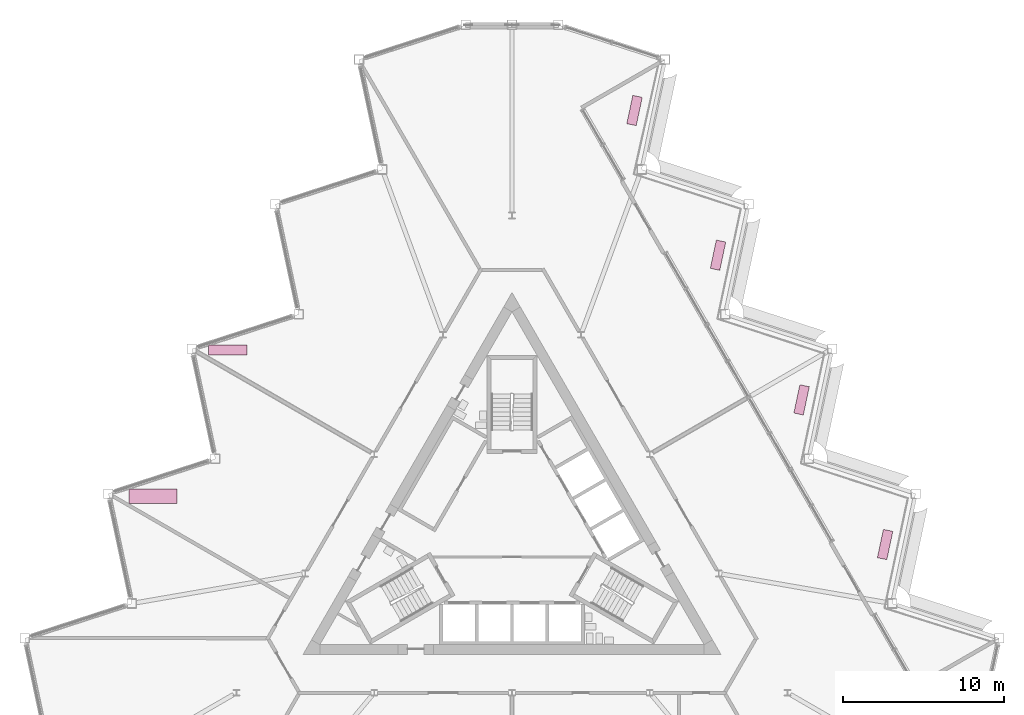
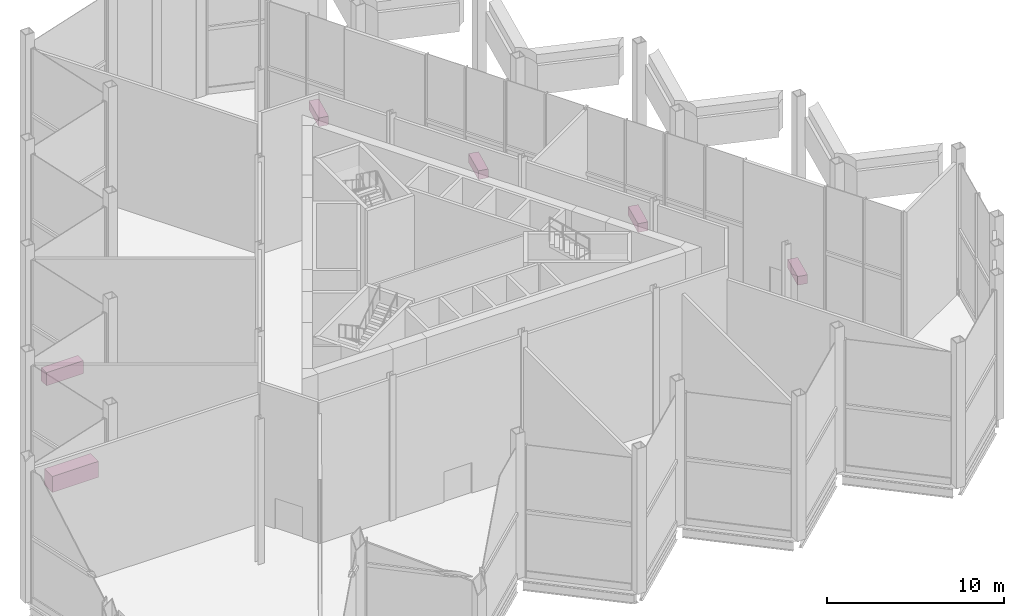
# One storey, part 18 of 18: 6 furniture elements.
"""IFC4 building model written with IfcOpenShell, lengths in metres."""

from ifc_helpers import new_model, si_unit, direction, frame, origin, origin_2d, place, context, subcontext, project, spatial, rectangle, extrude, material, type_object, element, save


model = new_model("IFC4")

# Units and contexts
model_context = context("Model", 3, precision=1e-05, world=origin(), true_north=direction((0.0, 1.0)))
body_context = subcontext(model_context, "Body", "Model", "MODEL_VIEW")
ifc_project = project(units=[si_unit("LENGTHUNIT", "METRE"), si_unit("AREAUNIT", "SQUARE_METRE"), si_unit("VOLUMEUNIT", "CUBIC_METRE"), si_unit("PLANEANGLEUNIT", "RADIAN"), si_unit("MASSUNIT", "GRAM", prefix="KILO")], contexts=[model_context])

# Site, building, storey
site_placement = place(None, origin())
site = spatial("IfcSite", under=ifc_project, at=site_placement, CompositionType="ELEMENT")
building_placement = place(site_placement, origin())
building = spatial("IfcBuilding", under=site, at=building_placement, Name="Cormorant Prow Tower", CompositionType="ELEMENT")
storey_placement = place(building_placement, frame((0.0, 0.0, 346.0)))
storey = spatial("IfcBuildingStorey", under=building, at=storey_placement, Name="L78", CompositionType="ELEMENT", Elevation=346.0)

# Furniture
ifc_material_1 = material(Name="Timber joinery", Category="wood")
furniture_type_1 = type_object("IfcFurnitureType", Name="Kitchen counter 2400x600", AssemblyPlace="NOTDEFINED", PredefinedType="NOTDEFINED", material=ifc_material_1)
furniture_1_placement = place(storey_placement, frame((-17.693359375, 11.4326171875, 0.0), z_axis=(0.0, 0.0, 1.0), x_axis=(1.0, 0.0, 0.0)))
element("IfcFurniture", 1, at=furniture_1_placement, inside=storey, type_object=furniture_type_1, Name="Kitchen counter", PredefinedType="NOTDEFINED", context=body_context, shape_type="SweptSolid", body=[
    extrude(rectangle(XDim=2.39990234375, YDim=0.60009765625, at=origin_2d()), origin(), (0.0, 0.0, 1.0), 0.89990234375),
])
ifc_material_2 = material(Name="Timber joinery", Category="wood")
furniture_type_2 = type_object("IfcFurnitureType", Name="Reception desk 3000x900", AssemblyPlace="NOTDEFINED", PredefinedType="DESK", material=ifc_material_2)
furniture_2_placement = place(storey_placement, frame((-22.34228515625, 2.327392578125, 0.0), z_axis=(0.0, 0.0, 1.0), x_axis=(1.0, 0.0, 0.0)))
element("IfcFurniture", 2, at=furniture_2_placement, inside=storey, type_object=furniture_type_2, Name="Reception desk", PredefinedType="DESK", context=body_context, shape_type="SweptSolid", body=[
    extrude(rectangle(XDim=3.0, YDim=0.89990234375, at=origin_2d()), origin(), (0.0, 0.0, 1.0), 1.10009765625),
])
ifc_material_3 = material(Name="Terracotta", Category="masonry")
furniture_type_3 = type_object("IfcFurnitureType", Name="Terrace planter 1800x600x600", AssemblyPlace="NOTDEFINED", PredefinedType="USERDEFINED", material=ifc_material_3)
for number, where, z_axis, x_axis, name in (
    (3, (23.2236328125, -0.673095703125, 0.0), (0.0, 0.0, 1.0), (0.20791165512, 0.978147608322, 0.0), "Terrace planter ENE02"),
    (4, (18.0244140625, 8.33203125, 0.0), (0.0, 0.0, 1.0), (0.20791176281, 0.978147585431, 0.0), "Terrace planter ENE04"),
    (5, (12.825439453125, 17.3369140625, 0.0), (0.0, 0.0, 1.0), (0.20791165512, 0.978147608322, 0.0), "Terrace planter ENE06"),
    (6, (7.62646484375, 26.342041015625, 0.0), (0.0, 0.0, 1.0), (0.207911626047, 0.978147614501, 0.0), "Terrace planter ENE08"),
):
    element("IfcFurniture", number, at=place(storey_placement, frame(where, z_axis=z_axis, x_axis=x_axis)), inside=storey, type_object=furniture_type_3, Name=name, ObjectType="PLANTER", PredefinedType="USERDEFINED", context=body_context, shape_type="SweptSolid", body=[
        extrude(rectangle(XDim=1.800048828125, YDim=0.60009765625, at=origin_2d()), origin(), (0.0, 0.0, 1.0), 0.60009765625),
    ])

save(model, "model.ifc")
